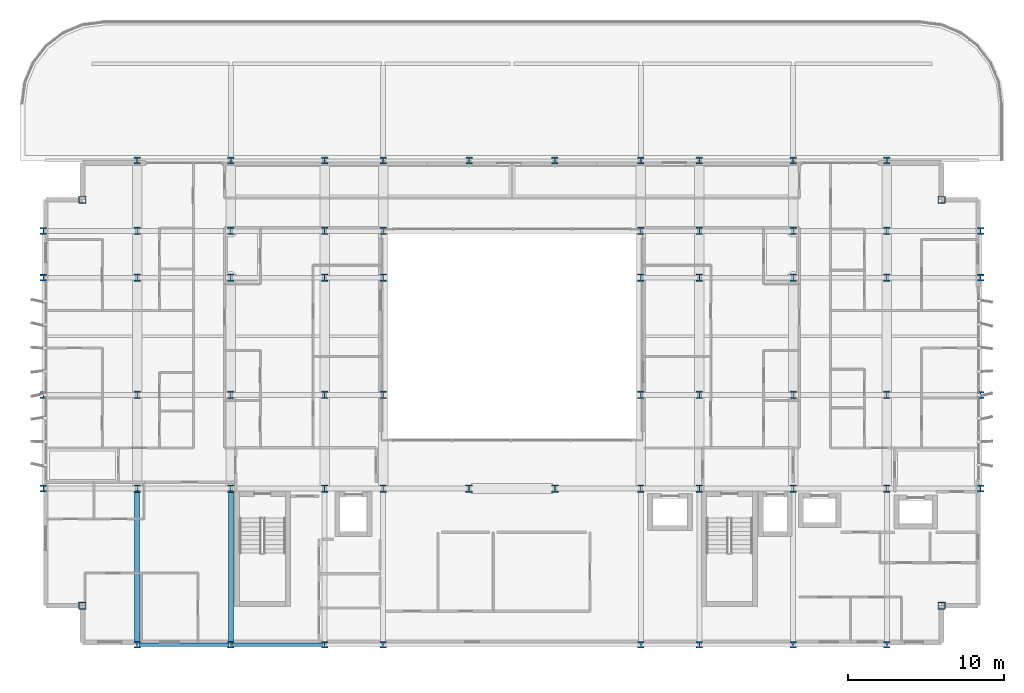
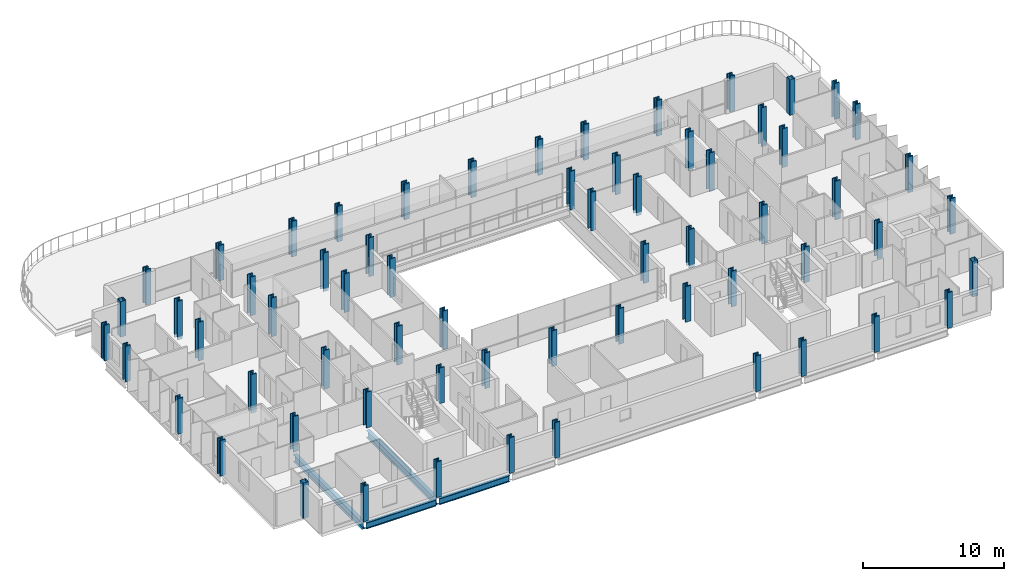
# One storey, part 1 of 38: 64 columns, 4 beams.
"""IFC4 building model written with IfcOpenShell, lengths in metres."""

import ifcopenshell
import ifcopenshell.guid

model = None  # the IFC model being written
_history = None  # IfcOwnerHistory: only IFC2X3 demands one
_inside = {}  # id of a spatial element -> (the spatial element, [elements in it])
_under = {}  # id of a project, library or spatial element -> (it, [spatial elements below it])
_declared = {}  # id of a project -> (the project, [libraries it declares])
_typed = {}  # id of a type object -> (the type object, [elements of that type])
_made_of = {}  # id of a material, layer set ... -> (it, [elements and type objects made of it])


def new_model(schema):
    """Start an empty IFC model of exactly this schema.

    Asked for "IFC4X3", IfcOpenShell would pick the latest addendum, in which some entities
    have other attributes; the version numbers below select the first issue.
    IFC2X3 requires an IfcOwnerHistory on every rooted entity: one is made here for all.
    """
    global model, _history
    if schema == "IFC4X3":
        model = ifcopenshell.file(schema_version=(4, 3, 0, 0))
    else:
        model = ifcopenshell.file(schema=schema)
    _inside.clear()
    _under.clear()
    _declared.clear()
    _typed.clear()
    _made_of.clear()
    _history = None
    if model.schema == "IFC2X3":
        org = make("IfcOrganization", Name="unknown")
        user = make(
            "IfcPersonAndOrganization",
            ThePerson=make("IfcPerson", FamilyName="unknown"),
            TheOrganization=org,
        )
        app = make(
            "IfcApplication",
            ApplicationDeveloper=org,
            Version="unknown",
            ApplicationFullName="unknown",
            ApplicationIdentifier="unknown",
        )
        _history = make(
            "IfcOwnerHistory",
            OwningUser=user,
            OwningApplication=app,
            ChangeAction="ADDED",
            CreationDate=0,
        )
    return model


def make(cls, **values):
    """One entity of the class cls with the attributes given. An attribute that is None is left unset."""
    return model.create_entity(
        cls, **{name: value for name, value in values.items() if value is not None}
    )


def rooted(cls, **values):
    """An entity with a GlobalId (a new one), such as an element, a storey or a relation."""
    return make(cls, GlobalId=ifcopenshell.guid.new(), OwnerHistory=_history, **values)


def si_unit(unit_type, name, prefix=None):
    """IfcSIUnit, for example si_unit("LENGTHUNIT", "METRE", prefix="MILLI")."""
    return make("IfcSIUnit", UnitType=unit_type, Prefix=prefix, Name=name)


def assignment(units):
    """IfcUnitAssignment: the units of a project."""
    return None if units is None else make("IfcUnitAssignment", Units=units)


def point(xyz):
    """IfcCartesianPoint."""
    return None if xyz is None else make("IfcCartesianPoint", Coordinates=xyz)


def direction(xyz):
    """IfcDirection."""
    return None if xyz is None else make("IfcDirection", DirectionRatios=xyz)


def frame(location, z_axis=None, x_axis=None):
    """IfcAxis2Placement3D, a coordinate frame: its origin and axes. An axis left out is left unset."""
    return make(
        "IfcAxis2Placement3D",
        Location=point(location),
        Axis=direction(z_axis),
        RefDirection=direction(x_axis),
    )


def frame_2d(location, x_axis=None):
    """IfcAxis2Placement2D, a coordinate frame in the plane: its origin and x axis."""
    return make(
        "IfcAxis2Placement2D", Location=point(location), RefDirection=direction(x_axis)
    )


def origin():
    """The frame at (0, 0, 0) with its axes left unset."""
    return frame((0.0, 0.0, 0.0))


def origin_2d():
    """The frame at (0, 0) in the plane with its x axis left unset."""
    return frame_2d((0.0, 0.0))


def place(relative_to, where):
    """IfcLocalPlacement: puts the frame where relative to a parent placement (None: the world)."""
    return make(
        "IfcLocalPlacement", PlacementRelTo=relative_to, RelativePlacement=where
    )


def context(
    kind, dimensions, precision=None, world=None, true_north=None, identifier=None
):
    """IfcGeometricRepresentationContext, for example the 3D "Model" context."""
    return make(
        "IfcGeometricRepresentationContext",
        ContextIdentifier=identifier,
        ContextType=kind,
        CoordinateSpaceDimension=dimensions,
        Precision=precision,
        WorldCoordinateSystem=world,
        TrueNorth=true_north,
    )


def subcontext(parent, identifier, kind, view, scale=None):
    """IfcGeometricRepresentationSubContext, for example "Body" below "Model"."""
    return make(
        "IfcGeometricRepresentationSubContext",
        ContextIdentifier=identifier,
        ContextType=kind,
        ParentContext=parent,
        TargetScale=scale,
        TargetView=view,
    )


def project(units=None, contexts=None):
    """IfcProject with its units and contexts."""
    return rooted(
        "IfcProject",
        Name="project",
        RepresentationContexts=contexts,
        UnitsInContext=assignment(units),
    )


def spatial(cls, under=None, at=None, **own):
    """A site, building, storey or space (cls), placed at a placement, below another one or the project."""
    s = rooted(cls, ObjectPlacement=at, **own)
    if under is not None:
        _under.setdefault(under.id(), (under, []))[1].append(s)
    return s


def profile(cls, at=None, kind="AREA", **sizes):
    """A parametric profile (cls). Its sizes go by their IFC names, for example OverallWidth=200.0."""
    return make(cls, ProfileType=kind, Position=at, **sizes)


def hollow_rectangle(**sizes):
    """IfcRectangleHollowProfileDef."""
    return profile("IfcRectangleHollowProfileDef", **sizes)


def i_section(**sizes):
    """IfcIShapeProfileDef."""
    return profile("IfcIShapeProfileDef", **sizes)


def extrude(swept, where, along, depth):
    """IfcExtrudedAreaSolid: the profile swept, set in the frame where, extruded along a direction by depth."""
    return make(
        "IfcExtrudedAreaSolid",
        SweptArea=swept,
        Position=where,
        ExtrudedDirection=direction(along),
        Depth=depth,
    )


def shape(context_of_items, identifier, shape_type, items):
    """IfcShapeRepresentation: the items that make up one representation, for example the "Body"."""
    return make(
        "IfcShapeRepresentation",
        ContextOfItems=context_of_items,
        RepresentationIdentifier=identifier,
        RepresentationType=shape_type,
        Items=items,
    )


def material(Name=None, Category=None):
    """IfcMaterial."""
    return make("IfcMaterial", Name=Name, Category=Category)


def material_profile(
    of_material, cross_section, Name=None, Category=None, Priority=None
):
    """IfcMaterialProfile: a cross section and its material."""
    return make(
        "IfcMaterialProfile",
        Name=Name,
        Material=of_material,
        Profile=cross_section,
        Priority=Priority,
        Category=Category,
    )


def profile_set(profiles, Name=None, composite=None):
    """IfcMaterialProfileSet."""
    return make(
        "IfcMaterialProfileSet",
        Name=Name,
        MaterialProfiles=profiles,
        CompositeProfile=composite,
    )


def made_of(thing, what):
    """Note that an element or type object is made of a material, layer set ...; save() writes the relation."""
    if what is not None:
        _made_of.setdefault(what.id(), (what, []))[1].append(thing)
    return thing


def type_object(cls, material=None, **own):
    """A type object (cls), such as IfcWallType, which elements share."""
    return made_of(rooted(cls, **own), material)


def element(
    cls,
    number,
    at=None,
    inside=None,
    cuts=None,
    type_object=None,
    material=None,
    context=None,
    identifier="Body",
    shape_type=None,
    held_by="IfcProductDefinitionShape",
    body=None,
    shapes=None,
    **own,
):
    """One element of the class cls, such as IfcWall. Its Tag is "e" and its number.

    at: its placement. inside: the storey or other place that contains it. cuts: it is an
    opening in that element (IfcRelVoidsElement). A single representation is given by context,
    identifier, shape_type and body (its items); several are given by shapes. held_by: the class
    of the entity that holds the representations. save() writes the other relations.
    """
    e = rooted(cls, Tag="e%d" % number, ObjectPlacement=at, **own)
    if body is not None:
        shapes = [shape(context, identifier, shape_type, body)]
    if shapes is not None:
        e.Representation = make(held_by, Representations=shapes)
    if inside is not None:
        _inside.setdefault(inside.id(), (inside, []))[1].append(e)
    if cuts is not None:
        rooted(
            "IfcRelVoidsElement", RelatingBuildingElement=cuts, RelatedOpeningElement=e
        )
    if type_object is not None:
        _typed.setdefault(type_object.id(), (type_object, []))[1].append(e)
    return made_of(e, material)


def aggregate(whole, parts):
    """IfcRelAggregates: a whole, such as a stair, and the parts it consists of."""
    return rooted("IfcRelAggregates", RelatingObject=whole, RelatedObjects=parts)


def save(model, path):
    """Write the relations noted so far, then the file.

    IfcRelAggregates (storeys below a building ...), IfcRelContainedInSpatialStructure (elements
    in a storey), IfcRelDefinesByType, IfcRelAssociatesMaterial and IfcRelDeclares: one each for
    every whole, place, type object, material and project.
    """
    for whole, parts in _under.values():
        aggregate(whole, parts)
    for where, things in _inside.values():
        rooted(
            "IfcRelContainedInSpatialStructure",
            RelatedElements=things,
            RelatingStructure=where,
        )
    for kind, things in _typed.values():
        rooted("IfcRelDefinesByType", RelatedObjects=things, RelatingType=kind)
    for what, things in _made_of.values():
        rooted("IfcRelAssociatesMaterial", RelatedObjects=things, RelatingMaterial=what)
    for by, libraries in _declared.values():
        rooted("IfcRelDeclares", RelatingContext=by, RelatedDefinitions=libraries)
    model.write(path)


model = new_model("IFC4")

# Units and contexts
model_context = context("Model", 3, precision=1e-05, world=origin(), true_north=direction((0.0, 1.0)))
body_context = subcontext(model_context, "Body", "Model", "MODEL_VIEW")
ifc_project = project(units=[si_unit("LENGTHUNIT", "METRE"), si_unit("AREAUNIT", "SQUARE_METRE"), si_unit("VOLUMEUNIT", "CUBIC_METRE"), si_unit("PLANEANGLEUNIT", "RADIAN"), si_unit("MASSUNIT", "GRAM", prefix="KILO")], contexts=[model_context])

# Site, building, storey
site_placement = place(None, origin())
site = spatial("IfcSite", under=ifc_project, at=site_placement, CompositionType="ELEMENT")
building_placement = place(site_placement, origin())
building = spatial("IfcBuilding", under=site, at=building_placement, Name="Brevholm Reach", CompositionType="ELEMENT")
storey_placement = place(building_placement, frame((0.0, 0.0, 28.0)))
storey = spatial("IfcBuildingStorey", under=building, at=storey_placement, Name="L06", CompositionType="ELEMENT", Elevation=28.0)

# Columns
ifc_material_1 = material(Name="Structural Steel S460ML", Category="steel")
ifc_material_profile_1 = material_profile(ifc_material_1, i_section(OverallWidth=0.4140625, OverallDepth=0.444091796875, WebThickness=0.060546875, FlangeThickness=0.096923828125, FilletRadius=0.014892578125, at=origin_2d()), Name="HD 400x818")
ifc_profile_set_1 = profile_set([ifc_material_profile_1], Name="Structural Steel S460ML")
column_type_1 = type_object("IfcColumnType", Name="COL-HD2", PredefinedType="COLUMN", material=ifc_profile_set_1)
for number, where, z_axis, x_axis, name in (
    (1, (0.0, 10.0, 0.0), (0.0, 0.0, 1.0), (1.0, 0.0, 0.0), "L06 Column 01"),
    (2, (0.0, 16.0, 0.0), (0.0, 0.0, 1.0), (1.0, 0.0, 0.0), "L06 Column 02"),
    (3, (0.0, 23.5, 0.0), (0.0, 0.0, 1.0), (1.0, 0.0, 0.0), "L06 Column 03"),
    (4, (0.0, 26.5, 0.0), (0.0, 0.0, 1.0), (1.0, 0.0, 0.0), "L06 Column 04"),
    (5, (6.0, 0.0, 0.0), (0.0, 0.0, 1.0), (1.0, 0.0, 0.0), "L06 Column 07"),
    (6, (6.0, 31.0, 0.0), (0.0, 0.0, 1.0), (1.0, 0.0, 0.0), "L06 Column 12"),
    (7, (12.0, 0.0, 0.0), (0.0, 0.0, 1.0), (1.0, 0.0, 0.0), "L06 Column 13"),
    (8, (12.0, 31.0, 0.0), (0.0, 0.0, 1.0), (1.0, 0.0, 0.0), "L06 Column 18"),
    (9, (18.0, 0.0, 0.0), (0.0, 0.0, 1.0), (1.0, 0.0, 0.0), "L06 Column 19"),
    (10, (18.0, 31.0, 0.0), (0.0, 0.0, 1.0), (1.0, 0.0, 0.0), "L06 Column 24"),
    (11, (21.75, 0.0, 0.0), (0.0, 0.0, 1.0), (1.0, 0.0, 0.0), "L06 Column 25"),
    (12, (21.75, 31.0, 0.0), (0.0, 0.0, 1.0), (1.0, 0.0, 0.0), "L06 Column 30"),
    (13, (27.25, 31.0, 0.0), (0.0, 0.0, 1.0), (1.0, 0.0, 0.0), "L06 Column 32"),
    (14, (32.75, 31.0, 0.0), (0.0, 0.0, 1.0), (1.0, 0.0, 0.0), "L06 Column 34"),
    (15, (38.25, 0.0, 0.0), (0.0, 0.0, 1.0), (1.0, 0.0, 0.0), "L06 Column 35"),
    (16, (38.25, 31.0, 0.0), (0.0, 0.0, 1.0), (1.0, 0.0, 0.0), "L06 Column 40"),
    (17, (42.0, 0.0, 0.0), (0.0, 0.0, 1.0), (1.0, 0.0, 0.0), "L06 Column 41"),
    (18, (42.0, 31.0, 0.0), (0.0, 0.0, 1.0), (1.0, 0.0, 0.0), "L06 Column 46"),
    (19, (48.0, 0.0, 0.0), (0.0, 0.0, 1.0), (1.0, 0.0, 0.0), "L06 Column 47"),
    (20, (48.0, 31.0, 0.0), (0.0, 0.0, 1.0), (1.0, 0.0, 0.0), "L06 Column 52"),
    (21, (54.0, 0.0, 0.0), (0.0, 0.0, 1.0), (1.0, 0.0, 0.0), "L06 Column 53"),
    (22, (54.0, 31.0, 0.0), (0.0, 0.0, 1.0), (1.0, 0.0, 0.0), "L06 Column 58"),
    (23, (60.0, 10.0, 0.0), (0.0, 0.0, 1.0), (1.0, 0.0, 0.0), "L06 Column 61"),
    (24, (60.0, 16.0, 0.0), (0.0, 0.0, 1.0), (1.0, 0.0, 0.0), "L06 Column 62"),
    (25, (60.0, 23.5, 0.0), (0.0, 0.0, 1.0), (1.0, 0.0, 0.0), "L06 Column 63"),
    (26, (60.0, 26.5, 0.0), (0.0, 0.0, 1.0), (1.0, 0.0, 0.0), "L06 Column 64"),
):
    element("IfcColumn", number, at=place(storey_placement, frame(where, z_axis=z_axis, x_axis=x_axis)), inside=storey, type_object=column_type_1, Name=name, PredefinedType="COLUMN", context=body_context, shape_type="SweptSolid", body=[
        extrude(i_section(OverallWidth=0.4140625, OverallDepth=0.444091796875, WebThickness=0.060546875, FlangeThickness=0.096923828125, FilletRadius=0.014892578125, at=origin_2d()), origin(), (0.0, 0.0, 1.0), 3.10009765625),
    ])
ifc_material_2 = material(Name="Structural Steel S460NH", Category="steel")
ifc_material_profile_2 = material_profile(ifc_material_2, hollow_rectangle(XDim=0.449951171875, YDim=0.449951171875, WallThickness=0.02490234375, InnerFilletRadius=0.011962890625, OuterFilletRadius=0.02392578125, at=origin_2d()), Name="SHS 450x450x25")
ifc_profile_set_2 = profile_set([ifc_material_profile_2], Name="Structural Steel S460NH")
column_type_2 = type_object("IfcColumnType", Name="COL-SHS1", PredefinedType="COLUMN", material=ifc_profile_set_2)
for number, where, z_axis, x_axis, name in (
    (27, (2.5, 2.5, 0.0), (0.0, 0.0, 1.0), (1.0, 0.0, 0.0), "L06 Column 05"),
    (28, (2.5, 28.5, 0.0), (0.0, 0.0, 1.0), (1.0, 0.0, 0.0), "L06 Column 06"),
    (29, (57.5, 2.5, 0.0), (0.0, 0.0, 1.0), (1.0, 0.0, 0.0), "L06 Column 59"),
    (30, (57.5, 28.5, 0.0), (0.0, 0.0, 1.0), (1.0, 0.0, 0.0), "L06 Column 60"),
):
    element("IfcColumn", number, at=place(storey_placement, frame(where, z_axis=z_axis, x_axis=x_axis)), inside=storey, type_object=column_type_2, Name=name, PredefinedType="COLUMN", context=body_context, shape_type="SweptSolid", body=[
        extrude(hollow_rectangle(XDim=0.449951171875, YDim=0.449951171875, WallThickness=0.02490234375, InnerFilletRadius=0.011962890625, OuterFilletRadius=0.02392578125, at=origin_2d()), origin(), (0.0, 0.0, 1.0), 3.10009765625),
    ])
ifc_material_3 = material(Name="Structural Steel S460ML", Category="steel")
ifc_material_profile_3 = material_profile(ifc_material_3, i_section(OverallWidth=0.424072265625, OverallDepth=0.474609375, WebThickness=0.047607421875, FlangeThickness=0.076904296875, FilletRadius=0.01513671875, at=origin_2d()), Name="UKC 356x406x634")
ifc_profile_set_3 = profile_set([ifc_material_profile_3], Name="Structural Steel S460ML")
column_type_3 = type_object("IfcColumnType", Name="COL-UC1", PredefinedType="COLUMN", material=ifc_profile_set_3)
column_1_placement = place(storey_placement, frame((6.0, 10.0, 0.0), z_axis=(0.0, 0.0, 1.0), x_axis=(1.0, 0.0, 0.0)))
element("IfcColumn", 31, at=column_1_placement, inside=storey, type_object=column_type_3, Name="L06 Column 08", PredefinedType="COLUMN", context=body_context, shape_type="SweptSolid", body=[
    extrude(i_section(OverallWidth=0.424072265625, OverallDepth=0.474609375, WebThickness=0.047607421875, FlangeThickness=0.076904296875, FilletRadius=0.01513671875, at=origin_2d()), origin(), (0.0, 0.0, 1.0), 3.10009765625),
])
for number, where, z_axis, x_axis, name in (
    (32, (6.0, 16.0, -0.27001953125), (0.0, 0.0, 1.0), (1.0, 0.0, 0.0), "L06 Column 09"),
    (33, (6.0, 23.5, -0.27001953125), (0.0, 0.0, 1.0), (1.0, 0.0, 0.0), "L06 Column 10"),
    (34, (6.0, 26.5, -0.27001953125), (0.0, 0.0, 1.0), (1.0, 0.0, 0.0), "L06 Column 11"),
):
    element("IfcColumn", number, at=place(storey_placement, frame(where, z_axis=z_axis, x_axis=x_axis)), inside=storey, type_object=column_type_3, Name=name, PredefinedType="COLUMN", context=body_context, shape_type="SweptSolid", body=[
        extrude(i_section(OverallWidth=0.424072265625, OverallDepth=0.474609375, WebThickness=0.047607421875, FlangeThickness=0.076904296875, FilletRadius=0.01513671875, at=origin_2d()), origin(), (0.0, 0.0, 1.0), 3.3701171875),
    ])
column_2_placement = place(storey_placement, frame((12.0, 10.0, 0.0), z_axis=(0.0, 0.0, 1.0), x_axis=(1.0, 0.0, 0.0)))
element("IfcColumn", 35, at=column_2_placement, inside=storey, type_object=column_type_3, Name="L06 Column 14", PredefinedType="COLUMN", context=body_context, shape_type="SweptSolid", body=[
    extrude(i_section(OverallWidth=0.424072265625, OverallDepth=0.474609375, WebThickness=0.047607421875, FlangeThickness=0.076904296875, FilletRadius=0.01513671875, at=origin_2d()), origin(), (0.0, 0.0, 1.0), 3.10009765625),
])
for number, where, z_axis, x_axis, name in (
    (36, (12.0, 16.0, -0.27001953125), (0.0, 0.0, 1.0), (1.0, 0.0, 0.0), "L06 Column 15"),
    (37, (12.0, 23.5, -0.27001953125), (0.0, 0.0, 1.0), (1.0, 0.0, 0.0), "L06 Column 16"),
    (38, (12.0, 26.5, -0.27001953125), (0.0, 0.0, 1.0), (1.0, 0.0, 0.0), "L06 Column 17"),
):
    element("IfcColumn", number, at=place(storey_placement, frame(where, z_axis=z_axis, x_axis=x_axis)), inside=storey, type_object=column_type_3, Name=name, PredefinedType="COLUMN", context=body_context, shape_type="SweptSolid", body=[
        extrude(i_section(OverallWidth=0.424072265625, OverallDepth=0.474609375, WebThickness=0.047607421875, FlangeThickness=0.076904296875, FilletRadius=0.01513671875, at=origin_2d()), origin(), (0.0, 0.0, 1.0), 3.3701171875),
    ])
column_3_placement = place(storey_placement, frame((18.0, 10.0, 0.0), z_axis=(0.0, 0.0, 1.0), x_axis=(1.0, 0.0, 0.0)))
element("IfcColumn", 39, at=column_3_placement, inside=storey, type_object=column_type_3, Name="L06 Column 20", PredefinedType="COLUMN", context=body_context, shape_type="SweptSolid", body=[
    extrude(i_section(OverallWidth=0.424072265625, OverallDepth=0.474609375, WebThickness=0.047607421875, FlangeThickness=0.076904296875, FilletRadius=0.01513671875, at=origin_2d()), origin(), (0.0, 0.0, 1.0), 3.10009765625),
])
for number, where, z_axis, x_axis, name in (
    (40, (18.0, 16.0, -0.27001953125), (0.0, 0.0, 1.0), (1.0, 0.0, 0.0), "L06 Column 21"),
    (41, (18.0, 23.5, -0.27001953125), (0.0, 0.0, 1.0), (1.0, 0.0, 0.0), "L06 Column 22"),
    (42, (18.0, 26.5, -0.27001953125), (0.0, 0.0, 1.0), (1.0, 0.0, 0.0), "L06 Column 23"),
):
    element("IfcColumn", number, at=place(storey_placement, frame(where, z_axis=z_axis, x_axis=x_axis)), inside=storey, type_object=column_type_3, Name=name, PredefinedType="COLUMN", context=body_context, shape_type="SweptSolid", body=[
        extrude(i_section(OverallWidth=0.424072265625, OverallDepth=0.474609375, WebThickness=0.047607421875, FlangeThickness=0.076904296875, FilletRadius=0.01513671875, at=origin_2d()), origin(), (0.0, 0.0, 1.0), 3.3701171875),
    ])
column_4_placement = place(storey_placement, frame((21.75, 10.0, 0.0), z_axis=(0.0, 0.0, 1.0), x_axis=(1.0, 0.0, 0.0)))
element("IfcColumn", 43, at=column_4_placement, inside=storey, type_object=column_type_3, Name="L06 Column 26", PredefinedType="COLUMN", context=body_context, shape_type="SweptSolid", body=[
    extrude(i_section(OverallWidth=0.424072265625, OverallDepth=0.474609375, WebThickness=0.047607421875, FlangeThickness=0.076904296875, FilletRadius=0.01513671875, at=origin_2d()), origin(), (0.0, 0.0, 1.0), 3.10009765625),
])
for number, where, z_axis, x_axis, name in (
    (44, (21.75, 16.0, -0.27001953125), (0.0, 0.0, 1.0), (1.0, 0.0, 0.0), "L06 Column 27"),
    (45, (21.75, 23.5, -0.27001953125), (0.0, 0.0, 1.0), (1.0, 0.0, 0.0), "L06 Column 28"),
    (46, (21.75, 26.5, -0.27001953125), (0.0, 0.0, 1.0), (1.0, 0.0, 0.0), "L06 Column 29"),
):
    element("IfcColumn", number, at=place(storey_placement, frame(where, z_axis=z_axis, x_axis=x_axis)), inside=storey, type_object=column_type_3, Name=name, PredefinedType="COLUMN", context=body_context, shape_type="SweptSolid", body=[
        extrude(i_section(OverallWidth=0.424072265625, OverallDepth=0.474609375, WebThickness=0.047607421875, FlangeThickness=0.076904296875, FilletRadius=0.01513671875, at=origin_2d()), origin(), (0.0, 0.0, 1.0), 3.3701171875),
    ])
for number, where, z_axis, x_axis, name in (
    (47, (27.25, 10.0, 0.0), (0.0, 0.0, 1.0), (1.0, 0.0, 0.0), "L06 Column 31"),
    (48, (32.75, 10.0, 0.0), (0.0, 0.0, 1.0), (1.0, 0.0, 0.0), "L06 Column 33"),
    (49, (38.25, 10.0, 0.0), (0.0, 0.0, 1.0), (1.0, 0.0, 0.0), "L06 Column 36"),
):
    element("IfcColumn", number, at=place(storey_placement, frame(where, z_axis=z_axis, x_axis=x_axis)), inside=storey, type_object=column_type_3, Name=name, PredefinedType="COLUMN", context=body_context, shape_type="SweptSolid", body=[
        extrude(i_section(OverallWidth=0.424072265625, OverallDepth=0.474609375, WebThickness=0.047607421875, FlangeThickness=0.076904296875, FilletRadius=0.01513671875, at=origin_2d()), origin(), (0.0, 0.0, 1.0), 3.10009765625),
    ])
for number, where, z_axis, x_axis, name in (
    (50, (38.25, 16.0, -0.27001953125), (0.0, 0.0, 1.0), (1.0, 0.0, 0.0), "L06 Column 37"),
    (51, (38.25, 23.5, -0.27001953125), (0.0, 0.0, 1.0), (1.0, 0.0, 0.0), "L06 Column 38"),
    (52, (38.25, 26.5, -0.27001953125), (0.0, 0.0, 1.0), (1.0, 0.0, 0.0), "L06 Column 39"),
):
    element("IfcColumn", number, at=place(storey_placement, frame(where, z_axis=z_axis, x_axis=x_axis)), inside=storey, type_object=column_type_3, Name=name, PredefinedType="COLUMN", context=body_context, shape_type="SweptSolid", body=[
        extrude(i_section(OverallWidth=0.424072265625, OverallDepth=0.474609375, WebThickness=0.047607421875, FlangeThickness=0.076904296875, FilletRadius=0.01513671875, at=origin_2d()), origin(), (0.0, 0.0, 1.0), 3.3701171875),
    ])
column_5_placement = place(storey_placement, frame((42.0, 10.0, 0.0), z_axis=(0.0, 0.0, 1.0), x_axis=(1.0, 0.0, 0.0)))
element("IfcColumn", 53, at=column_5_placement, inside=storey, type_object=column_type_3, Name="L06 Column 42", PredefinedType="COLUMN", context=body_context, shape_type="SweptSolid", body=[
    extrude(i_section(OverallWidth=0.424072265625, OverallDepth=0.474609375, WebThickness=0.047607421875, FlangeThickness=0.076904296875, FilletRadius=0.01513671875, at=origin_2d()), origin(), (0.0, 0.0, 1.0), 3.10009765625),
])
for number, where, z_axis, x_axis, name in (
    (54, (42.0, 16.0, -0.27001953125), (0.0, 0.0, 1.0), (1.0, 0.0, 0.0), "L06 Column 43"),
    (55, (42.0, 23.5, -0.27001953125), (0.0, 0.0, 1.0), (1.0, 0.0, 0.0), "L06 Column 44"),
    (56, (42.0, 26.5, -0.27001953125), (0.0, 0.0, 1.0), (1.0, 0.0, 0.0), "L06 Column 45"),
):
    element("IfcColumn", number, at=place(storey_placement, frame(where, z_axis=z_axis, x_axis=x_axis)), inside=storey, type_object=column_type_3, Name=name, PredefinedType="COLUMN", context=body_context, shape_type="SweptSolid", body=[
        extrude(i_section(OverallWidth=0.424072265625, OverallDepth=0.474609375, WebThickness=0.047607421875, FlangeThickness=0.076904296875, FilletRadius=0.01513671875, at=origin_2d()), origin(), (0.0, 0.0, 1.0), 3.3701171875),
    ])
column_6_placement = place(storey_placement, frame((48.0, 10.0, 0.0), z_axis=(0.0, 0.0, 1.0), x_axis=(1.0, 0.0, 0.0)))
element("IfcColumn", 57, at=column_6_placement, inside=storey, type_object=column_type_3, Name="L06 Column 48", PredefinedType="COLUMN", context=body_context, shape_type="SweptSolid", body=[
    extrude(i_section(OverallWidth=0.424072265625, OverallDepth=0.474609375, WebThickness=0.047607421875, FlangeThickness=0.076904296875, FilletRadius=0.01513671875, at=origin_2d()), origin(), (0.0, 0.0, 1.0), 3.10009765625),
])
for number, where, z_axis, x_axis, name in (
    (58, (48.0, 16.0, -0.27001953125), (0.0, 0.0, 1.0), (1.0, 0.0, 0.0), "L06 Column 49"),
    (59, (48.0, 23.5, -0.27001953125), (0.0, 0.0, 1.0), (1.0, 0.0, 0.0), "L06 Column 50"),
    (60, (48.0, 26.5, -0.27001953125), (0.0, 0.0, 1.0), (1.0, 0.0, 0.0), "L06 Column 51"),
):
    element("IfcColumn", number, at=place(storey_placement, frame(where, z_axis=z_axis, x_axis=x_axis)), inside=storey, type_object=column_type_3, Name=name, PredefinedType="COLUMN", context=body_context, shape_type="SweptSolid", body=[
        extrude(i_section(OverallWidth=0.424072265625, OverallDepth=0.474609375, WebThickness=0.047607421875, FlangeThickness=0.076904296875, FilletRadius=0.01513671875, at=origin_2d()), origin(), (0.0, 0.0, 1.0), 3.3701171875),
    ])
column_7_placement = place(storey_placement, frame((54.0, 10.0, 0.0), z_axis=(0.0, 0.0, 1.0), x_axis=(1.0, 0.0, 0.0)))
element("IfcColumn", 61, at=column_7_placement, inside=storey, type_object=column_type_3, Name="L06 Column 54", PredefinedType="COLUMN", context=body_context, shape_type="SweptSolid", body=[
    extrude(i_section(OverallWidth=0.424072265625, OverallDepth=0.474609375, WebThickness=0.047607421875, FlangeThickness=0.076904296875, FilletRadius=0.01513671875, at=origin_2d()), origin(), (0.0, 0.0, 1.0), 3.10009765625),
])
for number, where, z_axis, x_axis, name in (
    (62, (54.0, 16.0, -0.27001953125), (0.0, 0.0, 1.0), (1.0, 0.0, 0.0), "L06 Column 55"),
    (63, (54.0, 23.5, -0.27001953125), (0.0, 0.0, 1.0), (1.0, 0.0, 0.0), "L06 Column 56"),
    (64, (54.0, 26.5, -0.27001953125), (0.0, 0.0, 1.0), (1.0, 0.0, 0.0), "L06 Column 57"),
):
    element("IfcColumn", number, at=place(storey_placement, frame(where, z_axis=z_axis, x_axis=x_axis)), inside=storey, type_object=column_type_3, Name=name, PredefinedType="COLUMN", context=body_context, shape_type="SweptSolid", body=[
        extrude(i_section(OverallWidth=0.424072265625, OverallDepth=0.474609375, WebThickness=0.047607421875, FlangeThickness=0.076904296875, FilletRadius=0.01513671875, at=origin_2d()), origin(), (0.0, 0.0, 1.0), 3.3701171875),
    ])

# Beams
ifc_material_4 = material(Name="Structural Steel S355J2", Category="steel")
ifc_material_profile_4 = material_profile(ifc_material_4, i_section(OverallWidth=0.210693359375, OverallDepth=0.53955078125, WebThickness=0.01171875, FlangeThickness=0.018798828125, FilletRadius=0.0126953125, at=origin_2d()), Name="UKB 533x210x109")
ifc_profile_set_4 = profile_set([ifc_material_profile_4], Name="Structural Steel S355J2")
beam_type_1 = type_object("IfcBeamType", Name="BM-SP539", PredefinedType="SPANDREL", material=ifc_profile_set_4)
for number, where, z_axis, x_axis, name in (
    (65, (6.1201171875, 0.0, -0.539794921875), (1.0, 0.0, 0.0), (0.0, 1.0, 0.0), "L06 SP-01B Framing Beam"),
    (66, (12.1201171875, 0.0, -0.539794921875), (1.0, 0.0, 0.0), (0.0, 1.0, 0.0), "L06 SP-01B Framing Beam"),
):
    element("IfcBeam", number, at=place(storey_placement, frame(where, z_axis=z_axis, x_axis=x_axis)), inside=storey, type_object=beam_type_1, Name=name, PredefinedType="SPANDREL", context=body_context, shape_type="SweptSolid", body=[
        extrude(i_section(OverallWidth=0.210693359375, OverallDepth=0.53955078125, WebThickness=0.01171875, FlangeThickness=0.018798828125, FilletRadius=0.0126953125, at=origin_2d()), origin(), (0.0, 0.0, 1.0), 5.759765625),
    ])
ifc_material_5 = material(Name="Structural Steel S355J2", Category="steel")
ifc_material_profile_5 = material_profile(ifc_material_5, i_section(OverallWidth=0.30712890625, OverallDepth=0.6201171875, WebThickness=0.01416015625, FlangeThickness=0.023681640625, FilletRadius=0.0166015625, at=origin_2d()), Name="UKB 610x305x179")
ifc_profile_set_5 = profile_set([ifc_material_profile_5], Name="Structural Steel S355J2")
beam_type_2 = type_object("IfcBeamType", Name="BM-UKB610H", PredefinedType="USERDEFINED", material=ifc_profile_set_5)
for number, where, z_axis, x_axis, name in (
    (67, (6.0, 0.1201171875, -0.580078125), (0.0, 1.0, 0.0), (-1.0, 0.0, 0.0), "L06 G-06 Framing Beam"),
    (68, (12.0, 0.1201171875, -0.580078125), (0.0, 1.0, 0.0), (-1.0, 0.0, 0.0), "L06 G-06 Framing Beam"),
):
    element("IfcBeam", number, at=place(storey_placement, frame(where, z_axis=z_axis, x_axis=x_axis)), inside=storey, type_object=beam_type_2, Name=name, ObjectType="GIRDER", PredefinedType="USERDEFINED", context=body_context, shape_type="SweptSolid", body=[
        extrude(i_section(OverallWidth=0.30712890625, OverallDepth=0.6201171875, WebThickness=0.01416015625, FlangeThickness=0.023681640625, FilletRadius=0.0166015625, at=origin_2d()), origin(), (0.0, 0.0, 1.0), 9.759765625),
    ])

save(model, "model.ifc")
